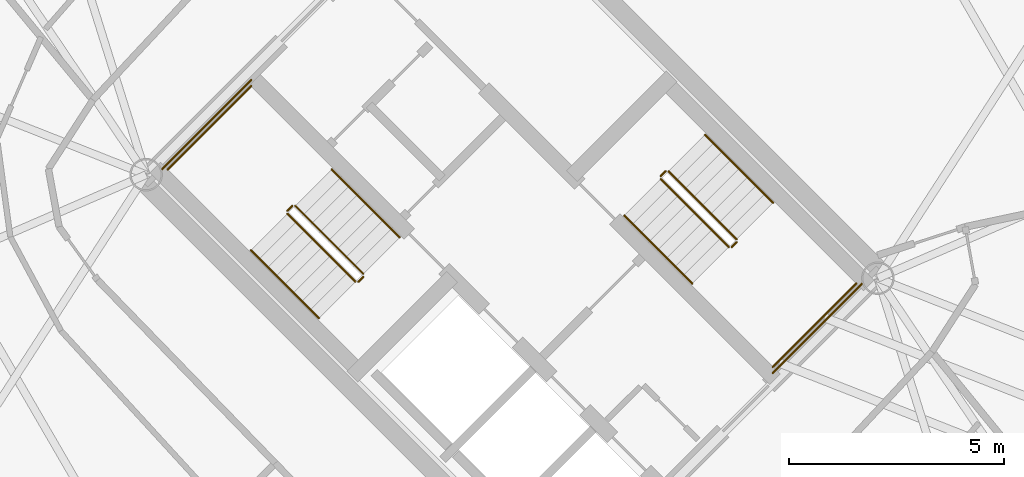
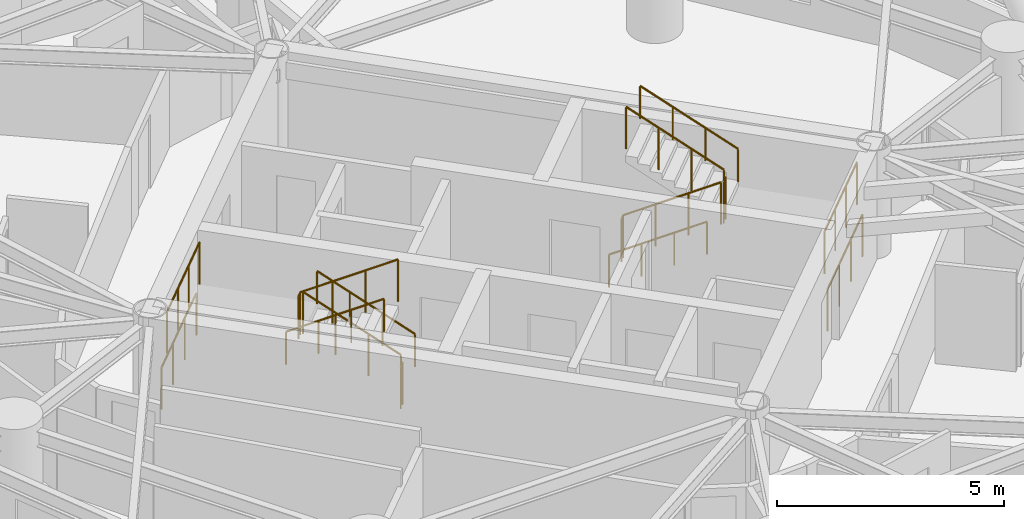
# One storey, part 18 of 19: 16 railings.
"""IFC4 building model written with IfcOpenShell, lengths in metres."""

from ifc_helpers import new_model, si_unit, direction, frame, origin, origin_2d, place, context, subcontext, project, spatial, circle, extrude, material, type_object, element, save


model = new_model("IFC4")

# Units and contexts
model_context = context("Model", 3, precision=1e-05, world=origin(), true_north=direction((0.0, 1.0)))
body_context = subcontext(model_context, "Body", "Model", "MODEL_VIEW")
ifc_project = project(units=[si_unit("LENGTHUNIT", "METRE"), si_unit("AREAUNIT", "SQUARE_METRE"), si_unit("VOLUMEUNIT", "CUBIC_METRE"), si_unit("PLANEANGLEUNIT", "RADIAN"), si_unit("MASSUNIT", "GRAM", prefix="KILO")], contexts=[model_context])

# Site, building, storey
site_placement = place(None, origin())
site = spatial("IfcSite", under=ifc_project, at=site_placement, CompositionType="ELEMENT")
building_placement = place(site_placement, origin())
building = spatial("IfcBuilding", under=site, at=building_placement, Name="Cununo Teusaquillo Station Towers", CompositionType="ELEMENT")
storey_placement = place(building_placement, frame((0.0, 0.0, 177.7900390625)))
storey = spatial("IfcBuildingStorey", under=building, at=storey_placement, Name="L56", CompositionType="ELEMENT", Elevation=177.7900390625)

# Railings
ifc_material_1 = material(Name="Steel EN 10025-2 S355J2", Category="steel")
railing_type_1 = type_object("IfcRailingType", Name="RL-INT-GUARD", PredefinedType="GUARDRAIL", material=ifc_material_1)
railing_1_placement = place(storey_placement, frame((54.03515625, 23.39697265625, 0.16162109375)))
element("IfcRailing", 1, at=railing_1_placement, inside=storey, type_object=railing_type_1, Name="L56 ST-T2-1 stair guard 1", PredefinedType="GUARDRAIL", context=body_context, shape_type="SweptSolid", body=[
    extrude(circle(Radius=0.02392578125, at=origin_2d()), frame((0.0, 0.0, 1.1259765625), z_axis=(-0.612332353853, 0.612332353853, 0.500098167213), x_axis=(-0.707106781187, -0.707106781187, 0.0)), (0.0, 0.0, 1.0), 2.58642578125),
    extrude(circle(Radius=0.02099609375, at=origin_2d()), origin(), (0.0, 0.0, 1.0), 1.101806640625),
    extrude(circle(Radius=0.02099609375, at=origin_2d()), frame((-0.52783203125, 0.52783203125, 0.43115234375)), (0.0, 0.0, 1.0), 1.101806640625),
    extrude(circle(Radius=0.02099609375, at=origin_2d()), frame((-1.055908203125, 1.055908203125, 0.8623046875)), (0.0, 0.0, 1.0), 1.101806640625),
    extrude(circle(Radius=0.02099609375, at=origin_2d()), frame((-1.583740234375, 1.583740234375, 1.29345703125)), (0.0, 0.0, 1.0), 1.101806640625),
])
railing_2_placement = place(storey_placement, frame((52.380615234375, 24.980712890625, 1.455078125)))
element("IfcRailing", 2, at=railing_2_placement, inside=storey, type_object=railing_type_1, Name="L56 ST-T2-1 stair guard 2", PredefinedType="GUARDRAIL", context=body_context, shape_type="SweptSolid", body=[
    extrude(circle(Radius=0.02392578125, at=origin_2d()), frame((0.0, 0.0, 1.1259765625), z_axis=(-0.7078691598, -0.706343579714, 0.0), x_axis=(0.706343579714, -0.7078691598, 0.0)), (0.0, 0.0, 1.0), 0.159912109375),
    extrude(circle(Radius=0.02099609375, at=origin_2d()), origin(), (0.0, 0.0, 1.0), 1.101806640625),
    extrude(circle(Radius=0.02099609375, at=origin_2d()), frame((-0.11328125, -0.113037109375, 0.0)), (0.0, 0.0, 1.0), 1.101806640625),
])
railing_3_placement = place(storey_placement, frame((51.426025390625, 27.77392578125, 1.455078125)))
element("IfcRailing", 3, at=railing_3_placement, inside=storey, type_object=railing_type_1, Name="L56 ST-T2-1 stair guard 3", PredefinedType="GUARDRAIL", context=body_context, shape_type="SweptSolid", body=[
    extrude(circle(Radius=0.02392578125, at=origin_2d()), frame((0.0, 0.0, 1.1259765625), z_axis=(-0.707106781187, -0.707106781187, 0.0), x_axis=(0.707106781187, -0.707106781187, 0.0)), (0.0, 0.0, 1.0), 2.760009765625),
    extrude(circle(Radius=0.02099609375, at=origin_2d()), origin(), (0.0, 0.0, 1.0), 1.101806640625),
    extrude(circle(Radius=0.02099609375, at=origin_2d()), frame((-0.650634765625, -0.650634765625, 0.0)), (0.0, 0.0, 1.0), 1.101806640625),
    extrude(circle(Radius=0.02099609375, at=origin_2d()), frame((-1.301025390625, -1.301025390625, 0.0)), (0.0, 0.0, 1.0), 1.101806640625),
    extrude(circle(Radius=0.02099609375, at=origin_2d()), frame((-1.95166015625, -1.95166015625, 0.0)), (0.0, 0.0, 1.0), 1.101806640625),
])
railing_4_placement = place(storey_placement, frame((52.267333984375, 24.796875, 1.61669921875)))
element("IfcRailing", 4, at=railing_4_placement, inside=storey, type_object=railing_type_1, Name="L56 ST-T2-1 stair guard 4", PredefinedType="GUARDRAIL", context=body_context, shape_type="SweptSolid", body=[
    extrude(circle(Radius=0.02392578125, at=origin_2d()), frame((0.0, 0.0, 1.1259765625), z_axis=(0.612420254088, -0.612325861324, 0.499998471934), x_axis=(0.707052281454, 0.707161276719, 0.0)), (0.0, 0.0, 1.0), 2.58642578125),
    extrude(circle(Radius=0.02099609375, at=origin_2d()), origin(), (0.0, 0.0, 1.0), 1.101806640625),
    extrude(circle(Radius=0.02099609375, at=origin_2d()), frame((0.528076171875, -0.52783203125, 0.43115234375)), (0.0, 0.0, 1.0), 1.101806640625),
    extrude(circle(Radius=0.02099609375, at=origin_2d()), frame((1.055908203125, -1.055908203125, 0.862060546875)), (0.0, 0.0, 1.0), 1.101806640625),
    extrude(circle(Radius=0.02099609375, at=origin_2d()), frame((1.583984375, -1.583740234375, 1.293212890625)), (0.0, 0.0, 1.0), 1.101806640625),
])
railing_5_placement = place(storey_placement, frame((54.03515625, 23.326171875, 0.0)))
element("IfcRailing", 5, at=railing_5_placement, inside=storey, type_object=railing_type_1, Name="L56 ST-T2-1 stair guard 5", PredefinedType="GUARDRAIL", context=body_context, shape_type="SweptSolid", body=[
    extrude(circle(Radius=0.02392578125, at=origin_2d()), frame((0.0, 0.0, 1.1259765625), z_axis=(-0.707106781187, -0.707106781187, 0.0), x_axis=(0.707106781187, -0.707106781187, 0.0)), (0.0, 0.0, 1.0), 0.159912109375),
    extrude(circle(Radius=0.02099609375, at=origin_2d()), origin(), (0.0, 0.0, 1.0), 1.101806640625),
    extrude(circle(Radius=0.02099609375, at=origin_2d()), frame((-0.113037109375, -0.113037109375, 0.0)), (0.0, 0.0, 1.0), 1.101806640625),
])
railing_6_placement = place(storey_placement, frame((51.426025390625, 27.915283203125, 0.0)))
element("IfcRailing", 6, at=railing_6_placement, inside=storey, type_object=railing_type_1, Name="L56 ST-T2-1 stair guard 6", PredefinedType="GUARDRAIL", context=body_context, shape_type="SweptSolid", body=[
    extrude(circle(Radius=0.02392578125, at=origin_2d()), frame((0.0, 0.0, 1.1259765625), z_axis=(-0.707106781187, -0.707106781187, 0.0), x_axis=(0.707106781187, -0.707106781187, 0.0)), (0.0, 0.0, 1.0), 2.9599609375),
    extrude(circle(Radius=0.02099609375, at=origin_2d()), origin(), (0.0, 0.0, 1.0), 1.101806640625),
    extrude(circle(Radius=0.02099609375, at=origin_2d()), frame((-0.69775390625, -0.69775390625, 0.0)), (0.0, 0.0, 1.0), 1.101806640625),
    extrude(circle(Radius=0.02099609375, at=origin_2d()), frame((-1.395263671875, -1.395263671875, 0.0)), (0.0, 0.0, 1.0), 1.101806640625),
    extrude(circle(Radius=0.02099609375, at=origin_2d()), frame((-2.093017578125, -2.093017578125, 0.0)), (0.0, 0.0, 1.0), 1.101806640625),
])
railing_7_placement = place(storey_placement, frame((60.96484375, 25.60302734375, 0.16162109375)))
element("IfcRailing", 7, at=railing_7_placement, inside=storey, type_object=railing_type_1, Name="L56 ST-T2-2 stair guard 1", PredefinedType="GUARDRAIL", context=body_context, shape_type="SweptSolid", body=[
    extrude(circle(Radius=0.02392578125, at=origin_2d()), frame((0.0, 0.0, 1.1259765625), z_axis=(0.612332353853, -0.612332353853, 0.500098167213), x_axis=(0.707106781187, 0.707106781187, 0.0)), (0.0, 0.0, 1.0), 2.58642578125),
    extrude(circle(Radius=0.02099609375, at=origin_2d()), origin(), (0.0, 0.0, 1.0), 1.101806640625),
    extrude(circle(Radius=0.02099609375, at=origin_2d()), frame((0.52783203125, -0.52783203125, 0.43115234375)), (0.0, 0.0, 1.0), 1.101806640625),
    extrude(circle(Radius=0.02099609375, at=origin_2d()), frame((1.055908203125, -1.055908203125, 0.8623046875)), (0.0, 0.0, 1.0), 1.101806640625),
    extrude(circle(Radius=0.02099609375, at=origin_2d()), frame((1.583740234375, -1.583740234375, 1.29345703125)), (0.0, 0.0, 1.0), 1.101806640625),
])
railing_8_placement = place(storey_placement, frame((62.619384765625, 24.019287109375, 1.455078125)))
element("IfcRailing", 8, at=railing_8_placement, inside=storey, type_object=railing_type_1, Name="L56 ST-T2-2 stair guard 2", PredefinedType="GUARDRAIL", context=body_context, shape_type="SweptSolid", body=[
    extrude(circle(Radius=0.02392578125, at=origin_2d()), frame((0.0, 0.0, 1.1259765625), z_axis=(0.7078691598, 0.706343579714, 0.0), x_axis=(-0.706343579714, 0.7078691598, 0.0)), (0.0, 0.0, 1.0), 0.159912109375),
    extrude(circle(Radius=0.02099609375, at=origin_2d()), origin(), (0.0, 0.0, 1.0), 1.101806640625),
    extrude(circle(Radius=0.02099609375, at=origin_2d()), frame((0.11328125, 0.113037109375, 0.0)), (0.0, 0.0, 1.0), 1.101806640625),
])
railing_9_placement = place(storey_placement, frame((63.573974609375, 21.22607421875, 1.455078125)))
element("IfcRailing", 9, at=railing_9_placement, inside=storey, type_object=railing_type_1, Name="L56 ST-T2-2 stair guard 3", PredefinedType="GUARDRAIL", context=body_context, shape_type="SweptSolid", body=[
    extrude(circle(Radius=0.02392578125, at=origin_2d()), frame((0.0, 0.0, 1.1259765625), z_axis=(0.707106781187, 0.707106781187, 0.0), x_axis=(-0.707106781187, 0.707106781187, 0.0)), (0.0, 0.0, 1.0), 2.760009765625),
    extrude(circle(Radius=0.02099609375, at=origin_2d()), origin(), (0.0, 0.0, 1.0), 1.101806640625),
    extrude(circle(Radius=0.02099609375, at=origin_2d()), frame((0.650634765625, 0.650634765625, 0.0)), (0.0, 0.0, 1.0), 1.101806640625),
    extrude(circle(Radius=0.02099609375, at=origin_2d()), frame((1.301025390625, 1.301025390625, 0.0)), (0.0, 0.0, 1.0), 1.101806640625),
    extrude(circle(Radius=0.02099609375, at=origin_2d()), frame((1.95166015625, 1.95166015625, 0.0)), (0.0, 0.0, 1.0), 1.101806640625),
])
railing_10_placement = place(storey_placement, frame((62.732666015625, 24.203125, 1.61669921875)))
element("IfcRailing", 10, at=railing_10_placement, inside=storey, type_object=railing_type_1, Name="L56 ST-T2-2 stair guard 4", PredefinedType="GUARDRAIL", context=body_context, shape_type="SweptSolid", body=[
    extrude(circle(Radius=0.02392578125, at=origin_2d()), frame((0.0, 0.0, 1.1259765625), z_axis=(-0.612420254088, 0.612325861324, 0.499998471934), x_axis=(-0.707052281454, -0.707161276719, 0.0)), (0.0, 0.0, 1.0), 2.58642578125),
    extrude(circle(Radius=0.02099609375, at=origin_2d()), origin(), (0.0, 0.0, 1.0), 1.101806640625),
    extrude(circle(Radius=0.02099609375, at=origin_2d()), frame((-0.528076171875, 0.52783203125, 0.43115234375)), (0.0, 0.0, 1.0), 1.101806640625),
    extrude(circle(Radius=0.02099609375, at=origin_2d()), frame((-1.055908203125, 1.055908203125, 0.862060546875)), (0.0, 0.0, 1.0), 1.101806640625),
    extrude(circle(Radius=0.02099609375, at=origin_2d()), frame((-1.583984375, 1.583740234375, 1.293212890625)), (0.0, 0.0, 1.0), 1.101806640625),
])
railing_11_placement = place(storey_placement, frame((60.96484375, 25.673828125, 0.0)))
element("IfcRailing", 11, at=railing_11_placement, inside=storey, type_object=railing_type_1, Name="L56 ST-T2-2 stair guard 5", PredefinedType="GUARDRAIL", context=body_context, shape_type="SweptSolid", body=[
    extrude(circle(Radius=0.02392578125, at=origin_2d()), frame((0.0, 0.0, 1.1259765625), z_axis=(0.707106781187, 0.707106781187, 0.0), x_axis=(-0.707106781187, 0.707106781187, 0.0)), (0.0, 0.0, 1.0), 0.159912109375),
    extrude(circle(Radius=0.02099609375, at=origin_2d()), origin(), (0.0, 0.0, 1.0), 1.101806640625),
    extrude(circle(Radius=0.02099609375, at=origin_2d()), frame((0.113037109375, 0.113037109375, 0.0)), (0.0, 0.0, 1.0), 1.101806640625),
])
railing_12_placement = place(storey_placement, frame((63.573974609375, 21.084716796875, 0.0)))
element("IfcRailing", 12, at=railing_12_placement, inside=storey, type_object=railing_type_1, Name="L56 ST-T2-2 stair guard 6", PredefinedType="GUARDRAIL", context=body_context, shape_type="SweptSolid", body=[
    extrude(circle(Radius=0.02392578125, at=origin_2d()), frame((0.0, 0.0, 1.1259765625), z_axis=(0.707106781187, 0.707106781187, 0.0), x_axis=(-0.707106781187, 0.707106781187, 0.0)), (0.0, 0.0, 1.0), 2.9599609375),
    extrude(circle(Radius=0.02099609375, at=origin_2d()), origin(), (0.0, 0.0, 1.0), 1.101806640625),
    extrude(circle(Radius=0.02099609375, at=origin_2d()), frame((0.69775390625, 0.69775390625, 0.0)), (0.0, 0.0, 1.0), 1.101806640625),
    extrude(circle(Radius=0.02099609375, at=origin_2d()), frame((1.395263671875, 1.395263671875, 0.0)), (0.0, 0.0, 1.0), 1.101806640625),
    extrude(circle(Radius=0.02099609375, at=origin_2d()), frame((2.093017578125, 2.093017578125, 0.0)), (0.0, 0.0, 1.0), 1.101806640625),
])
ifc_material_2 = material(Name="Steel EN 10025-2 S355J2", Category="steel")
railing_type_2 = type_object("IfcRailingType", Name="RL-INT-HRAIL", PredefinedType="HANDRAIL", material=ifc_material_2)
railing_13_placement = place(storey_placement, frame((54.8837890625, 24.245361328125, 0.16162109375)))
element("IfcRailing", 13, at=railing_13_placement, inside=storey, type_object=railing_type_2, Name="L56 ST-T2-1 stair handrail 1", PredefinedType="HANDRAIL", context=body_context, shape_type="SweptSolid", body=[
    extrude(circle(Radius=0.02392578125, at=origin_2d()), frame((0.0, 0.0, 0.8759765625), z_axis=(-0.612355957468, 0.612355957468, 0.500040361077), x_axis=(-0.707106781187, -0.707106781187, 0.0)), (0.0, 0.0, 1.0), 2.586669921875),
    extrude(circle(Radius=0.02099609375, at=origin_2d()), origin(), (0.0, 0.0, 1.0), 0.851806640625),
    extrude(circle(Radius=0.02099609375, at=origin_2d()), frame((-0.528076171875, 0.528076171875, 0.43115234375)), (0.0, 0.0, 1.0), 0.851806640625),
    extrude(circle(Radius=0.02099609375, at=origin_2d()), frame((-1.055908203125, 1.055908203125, 0.8623046875)), (0.0, 0.0, 1.0), 0.851806640625),
    extrude(circle(Radius=0.02099609375, at=origin_2d()), frame((-1.583984375, 1.583984375, 1.29345703125)), (0.0, 0.0, 1.0), 0.851806640625),
])
railing_14_placement = place(storey_placement, frame((51.4189453125, 23.948486328125, 1.61669921875)))
element("IfcRailing", 14, at=railing_14_placement, inside=storey, type_object=railing_type_2, Name="L56 ST-T2-1 stair handrail 2", PredefinedType="HANDRAIL", context=body_context, shape_type="SweptSolid", body=[
    extrude(circle(Radius=0.02392578125, at=origin_2d()), frame((0.0, 0.0, 0.8759765625), z_axis=(0.612384857071, -0.612384857071, 0.499969572735), x_axis=(0.707106781187, 0.707106781187, 0.0)), (0.0, 0.0, 1.0), 2.586669921875),
    extrude(circle(Radius=0.02099609375, at=origin_2d()), origin(), (0.0, 0.0, 1.0), 0.851806640625),
    extrude(circle(Radius=0.02099609375, at=origin_2d()), frame((0.528076171875, -0.528076171875, 0.43115234375)), (0.0, 0.0, 1.0), 0.851806640625),
    extrude(circle(Radius=0.02099609375, at=origin_2d()), frame((1.055908203125, -1.055908203125, 0.862060546875)), (0.0, 0.0, 1.0), 0.851806640625),
    extrude(circle(Radius=0.02099609375, at=origin_2d()), frame((1.583984375, -1.583984375, 1.293212890625)), (0.0, 0.0, 1.0), 0.851806640625),
])
railing_15_placement = place(storey_placement, frame((60.1162109375, 24.754638671875, 0.16162109375)))
element("IfcRailing", 15, at=railing_15_placement, inside=storey, type_object=railing_type_2, Name="L56 ST-T2-2 stair handrail 1", PredefinedType="HANDRAIL", context=body_context, shape_type="SweptSolid", body=[
    extrude(circle(Radius=0.02392578125, at=origin_2d()), frame((0.0, 0.0, 0.8759765625), z_axis=(0.612355957468, -0.612355957468, 0.500040361077), x_axis=(0.707106781187, 0.707106781187, 0.0)), (0.0, 0.0, 1.0), 2.586669921875),
    extrude(circle(Radius=0.02099609375, at=origin_2d()), origin(), (0.0, 0.0, 1.0), 0.851806640625),
    extrude(circle(Radius=0.02099609375, at=origin_2d()), frame((0.528076171875, -0.528076171875, 0.43115234375)), (0.0, 0.0, 1.0), 0.851806640625),
    extrude(circle(Radius=0.02099609375, at=origin_2d()), frame((1.055908203125, -1.055908203125, 0.8623046875)), (0.0, 0.0, 1.0), 0.851806640625),
    extrude(circle(Radius=0.02099609375, at=origin_2d()), frame((1.583984375, -1.583984375, 1.29345703125)), (0.0, 0.0, 1.0), 0.851806640625),
])
railing_16_placement = place(storey_placement, frame((63.5810546875, 25.051513671875, 1.61669921875)))
element("IfcRailing", 16, at=railing_16_placement, inside=storey, type_object=railing_type_2, Name="L56 ST-T2-2 stair handrail 2", PredefinedType="HANDRAIL", context=body_context, shape_type="SweptSolid", body=[
    extrude(circle(Radius=0.02392578125, at=origin_2d()), frame((0.0, 0.0, 0.8759765625), z_axis=(-0.612384857071, 0.612384857071, 0.499969572735), x_axis=(-0.707106781187, -0.707106781187, 0.0)), (0.0, 0.0, 1.0), 2.586669921875),
    extrude(circle(Radius=0.02099609375, at=origin_2d()), origin(), (0.0, 0.0, 1.0), 0.851806640625),
    extrude(circle(Radius=0.02099609375, at=origin_2d()), frame((-0.528076171875, 0.528076171875, 0.43115234375)), (0.0, 0.0, 1.0), 0.851806640625),
    extrude(circle(Radius=0.02099609375, at=origin_2d()), frame((-1.055908203125, 1.055908203125, 0.862060546875)), (0.0, 0.0, 1.0), 0.851806640625),
    extrude(circle(Radius=0.02099609375, at=origin_2d()), frame((-1.583984375, 1.583984375, 1.293212890625)), (0.0, 0.0, 1.0), 0.851806640625),
])

save(model, "model.ifc")
